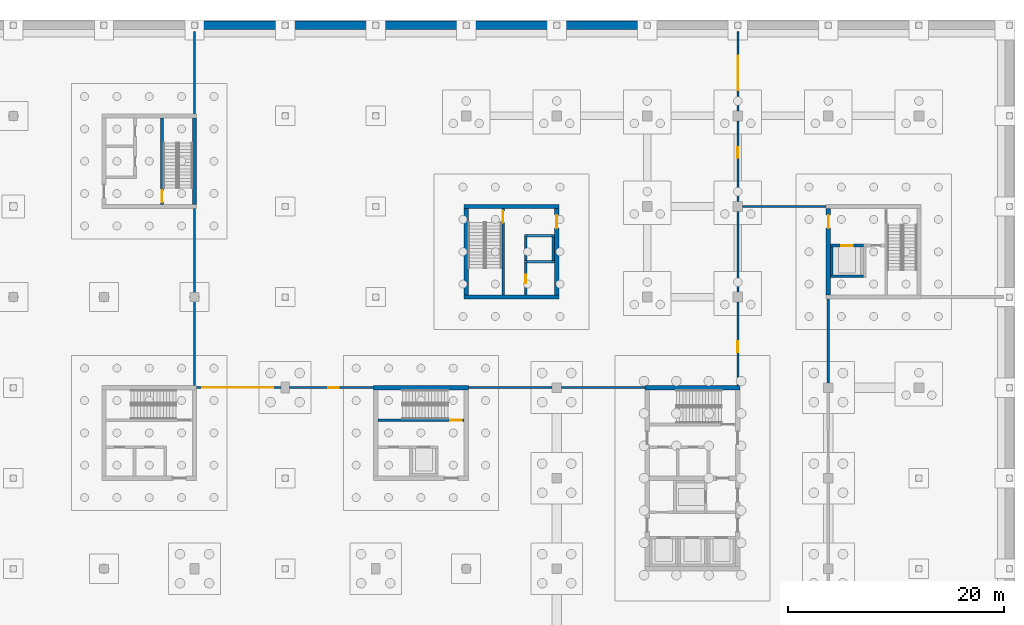
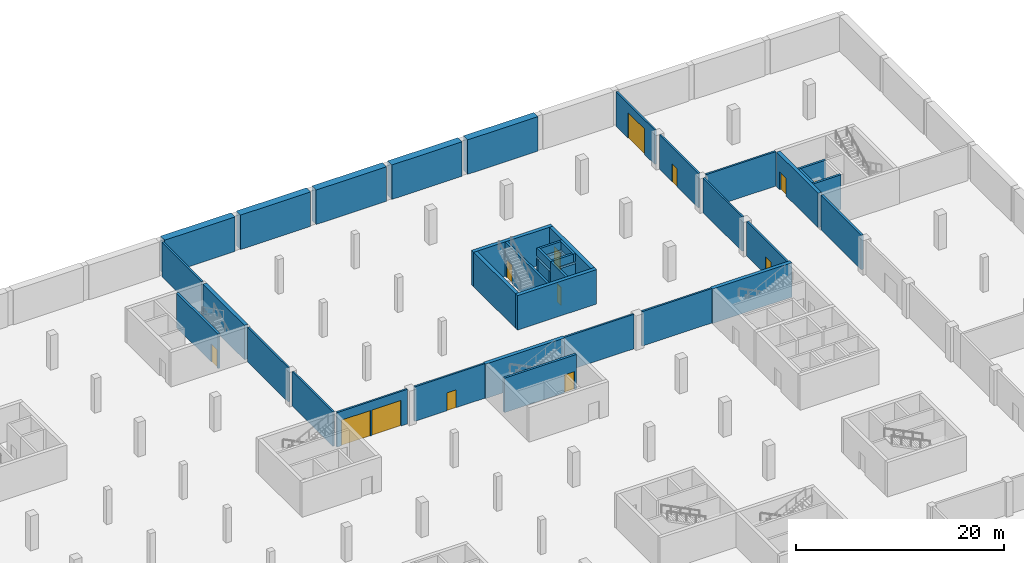
# One storey, part 16 of 23: 41 walls, 13 doors, 13 openings.
"""IFC4 building model written with IfcOpenShell, lengths in metres."""

from ifc_helpers import new_model, si_unit, direction, frame, frame_2d, origin, place, context, subcontext, project, spatial, rectangle, extrude, material, layer, layer_set, type_object, element, fill, save


model = new_model("IFC4")

# Units and contexts
model_context = context("Model", 3, precision=1e-05, world=origin(), true_north=direction((0.0, 1.0)))
body_context = subcontext(model_context, "Body", "Model", "MODEL_VIEW")
ifc_project = project(units=[si_unit("LENGTHUNIT", "METRE"), si_unit("AREAUNIT", "SQUARE_METRE"), si_unit("VOLUMEUNIT", "CUBIC_METRE"), si_unit("PLANEANGLEUNIT", "RADIAN"), si_unit("MASSUNIT", "GRAM", prefix="KILO")], contexts=[model_context])

# Site, building, storey
site_placement = place(None, origin())
site = spatial("IfcSite", under=ifc_project, at=site_placement, CompositionType="ELEMENT")
building_placement = place(site_placement, origin())
building = spatial("IfcBuilding", under=site, at=building_placement, Name="Hlaing Beacon Police Headquarters", CompositionType="ELEMENT")
storey_placement = place(building_placement, frame((0.0, 0.0, -4.5)))
storey = spatial("IfcBuildingStorey", under=building, at=storey_placement, Name="B1", CompositionType="ELEMENT", Elevation=-4.5)

# Walls
ifc_material_1 = material(Name="Concrete blockwork 7.5 N/mm2", Category="masonry")
ifc_layer_1 = layer(ifc_material_1, 0.199951171875)
ifc_layer_set_1 = layer_set([ifc_layer_1], Name="Concrete blockwork 7.5 N/mm2")
wall_type_1 = type_object("IfcWallType", Name="Compartment wall EI 60 200", PredefinedType="PARTITIONING", material=ifc_layer_set_1)
wall_1_placement = place(storey_placement, frame((118.050048828125, 84.0, 0.0), z_axis=(0.0, 0.0, 1.0), x_axis=(1.0, 0.0, 0.0)))
element("IfcWall", 1, at=wall_1_placement, inside=storey, type_object=wall_type_1, Name="Compartment wall EI 60 200", PredefinedType="PARTITIONING", context=body_context, shape_type="SweptSolid", body=[
    extrude(rectangle(XDim=7.75, YDim=0.199951171875, at=frame_2d((3.875, 0.0))), origin(), (0.0, 0.0, 1.0), 4.050048828125),
])
ifc_material_2 = material(Name="Concrete C60/75", Category="concrete")
ifc_layer_2 = layer(ifc_material_2, 0.39990234375)
ifc_layer_set_2 = layer_set([ifc_layer_2], Name="Concrete C60/75")
wall_type_2 = type_object("IfcWallType", Name="Core shear wall 400", PredefinedType="SHEAR", material=ifc_layer_set_2)
wall_2_placement = place(storey_placement, frame((83.800048828125, 67.199951171875, 0.0), z_axis=(0.0, 0.0, 1.0), x_axis=(1.0, 0.0, 0.0)))
element("IfcWall", 2, at=wall_2_placement, inside=storey, type_object=wall_type_2, Name="Core shear wall", PredefinedType="SHEAR", context=body_context, shape_type="SweptSolid", body=[
    extrude(rectangle(XDim=8.800048828125, YDim=0.39990234375, at=frame_2d((4.39990234375, 0.0))), origin(), (0.0, 0.0, 1.0), 4.050048828125),
])
wall_3_placement = place(storey_placement, frame((67.199951171875, 84.199951171875, 0.0), z_axis=(0.0, 0.0, 1.0), x_axis=(0.0, 1.0, 0.0)))
element("IfcWall", 3, at=wall_3_placement, inside=storey, type_object=wall_type_2, Name="Core shear wall", PredefinedType="SHEAR", context=body_context, shape_type="SweptSolid", body=[
    extrude(rectangle(XDim=8.0, YDim=0.39990234375, at=frame_2d((4.0, 0.0))), origin(), (0.0, 0.0, 1.0), 4.050048828125),
])
for number, where, z_axis, x_axis, name in (
    (4, (109.0, 67.199951171875, 0.0), (0.0, 0.0, 1.0), (1.0, 0.0, 0.0), "Core shear wall"),
    (5, (92.199951171875, 75.60009765625, 0.0), (0.0, 0.0, 1.0), (1.0, 0.0, 0.0), "Core shear wall"),
    (6, (92.199951171875, 84.0, 0.0), (0.0, 0.0, 1.0), (1.0, 0.0, 0.0), "Core shear wall"),
):
    element("IfcWall", number, at=place(storey_placement, frame(where, z_axis=z_axis, x_axis=x_axis)), inside=storey, type_object=wall_type_2, Name=name, PredefinedType="SHEAR", context=body_context, shape_type="SweptSolid", body=[
        extrude(rectangle(XDim=8.800048828125, YDim=0.39990234375, at=frame_2d((4.39990234375, 0.0))), origin(), (0.0, 0.0, 1.0), 4.050048828125),
    ])
wall_4_placement = place(storey_placement, frame((92.39990234375, 75.800048828125, 0.0), z_axis=(0.0, 0.0, 1.0), x_axis=(0.0, 1.0, 0.0)))
element("IfcWall", 7, at=wall_4_placement, inside=storey, type_object=wall_type_2, Name="Core shear wall", PredefinedType="SHEAR", context=body_context, shape_type="SweptSolid", body=[
    extrude(rectangle(XDim=8.0, YDim=0.39990234375, at=frame_2d((4.0, 0.0))), origin(), (0.0, 0.0, 1.0), 4.050048828125),
])

# Wall, opening, door
wall_5_placement = place(storey_placement, frame((100.800048828125, 75.800048828125, 0.0), z_axis=(0.0, 0.0, 1.0), x_axis=(0.0, 1.0, 0.0)))
wall_5 = element("IfcWall", 8, at=wall_5_placement, inside=storey, type_object=wall_type_2, Name="Core shear wall", PredefinedType="SHEAR", context=body_context, shape_type="SweptSolid", body=[
    extrude(rectangle(XDim=8.0, YDim=0.39990234375, at=frame_2d((4.0, 0.0))), origin(), (0.0, 0.0, 1.0), 4.050048828125),
])
opening_1_placement = place(wall_5_placement, frame((6.199951171875, 0.0, 0.0)))
opening_1 = element("IfcOpeningElement", 9, at=opening_1_placement, cuts=wall_5, Name="Opening B1-966", PredefinedType="OPENING", context=body_context, shape_type="SweptSolid", body=[
    extrude(rectangle(XDim=1.199951171875, YDim=2.10009765625, at=frame_2d((0.60009765625, 1.050048828125))), frame((0.0, 0.2099609375, 0.0), z_axis=(0.0, -1.0, 0.0), x_axis=(1.0, 0.0, 0.0)), (0.0, 0.0, 1.0), 0.419921875),
])
ifc_material_3 = material(Name="Steel fire door leaf", Category="steel")
ifc_layer_3 = layer(ifc_material_3, 0.070068359375)
ifc_layer_set_3 = layer_set([ifc_layer_3], Name="Steel fire door leaf")
door_type_1 = type_object("IfcDoorType", Name="Steel fire door FD60S 1200x2100", OperationType="SINGLE_SWING_LEFT", PredefinedType="DOOR", material=ifc_layer_set_3)
door_1_placement = place(opening_1_placement, origin())
door_1 = element("IfcDoor", 10, at=door_1_placement, inside=storey, type_object=door_type_1, Name="Door Lift and Stair Lobby ST-Q Entry", OperationType="SINGLE_SWING_RIGHT", OverallHeight=2.10009765625, OverallWidth=1.199951171875, PredefinedType="DOOR", context=body_context, shape_type="SweptSolid", body=[
    extrude(rectangle(XDim=1.199951171875, YDim=2.10009765625, at=frame_2d((0.60009765625, 1.050048828125))), frame((0.0, 0.03515625, 0.0), z_axis=(0.0, -1.0, 0.0), x_axis=(1.0, 0.0, 0.0)), (0.0, 0.0, 1.0), 0.070068359375),
])
fill(opening_1, door_1)

wall_6_placement = place(storey_placement, frame((126.0, 75.800048828125, 0.0), z_axis=(0.0, 0.0, 1.0), x_axis=(0.0, 1.0, 0.0)))
wall_6 = element("IfcWall", 11, at=wall_6_placement, inside=storey, type_object=wall_type_2, Name="Core shear wall", PredefinedType="SHEAR", context=body_context, shape_type="SweptSolid", body=[
    extrude(rectangle(XDim=8.0, YDim=0.39990234375, at=frame_2d((4.0, 0.0))), origin(), (0.0, 0.0, 1.0), 4.050048828125),
])
opening_2_placement = place(wall_6_placement, frame((6.199951171875, 0.0, 0.0)))
opening_2 = element("IfcOpeningElement", 12, at=opening_2_placement, cuts=wall_6, Name="Opening B1-969", PredefinedType="OPENING", context=body_context, shape_type="SweptSolid", body=[
    extrude(rectangle(XDim=1.199951171875, YDim=2.10009765625, at=frame_2d((0.60009765625, 1.050048828125))), frame((0.0, 0.2099609375, 0.0), z_axis=(0.0, -1.0, 0.0), x_axis=(1.0, 0.0, 0.0)), (0.0, 0.0, 1.0), 0.419921875),
])
door_2_placement = place(opening_2_placement, frame((1.199951171875, 0.0, 0.0), z_axis=(0.0, 0.0, 1.0), x_axis=(-1.0, 0.0, 0.0)))
door_2 = element("IfcDoor", 13, at=door_2_placement, inside=storey, type_object=door_type_1, Name="Door Firefighting Lobby Entry", OperationType="SINGLE_SWING_LEFT", OverallHeight=2.10009765625, OverallWidth=1.199951171875, PredefinedType="DOOR", context=body_context, shape_type="SweptSolid", body=[
    extrude(rectangle(XDim=1.199951171875, YDim=2.10009765625, at=frame_2d((0.599853515625, 1.050048828125))), frame((0.0, 0.034912109375, 0.0), z_axis=(0.0, -1.0, 0.0), x_axis=(1.0, 0.0, 0.0)), (0.0, 0.0, 1.0), 0.070068359375),
])
fill(opening_2, door_2)

ifc_material_4 = material(Name="Concrete blockwork 7.5 N/mm2", Category="masonry")
ifc_layer_4 = layer(ifc_material_4, 0.199951171875)
ifc_layer_set_4 = layer_set([ifc_layer_4], Name="Concrete blockwork 7.5 N/mm2")
wall_type_3 = type_object("IfcWallType", Name="Custody wall EI 60 200", PredefinedType="PARTITIONING", material=ifc_layer_set_4)
wall_7_placement = place(storey_placement, frame((117.60009765625, 84.449951171875, 0.0), z_axis=(0.0, 0.0, 1.0), x_axis=(0.0, 1.0, 0.0)))
wall_7 = element("IfcWall", 14, at=wall_7_placement, inside=storey, type_object=wall_type_3, Name="Custody wall EI 60 200", PredefinedType="PARTITIONING", context=body_context, shape_type="SweptSolid", body=[
    extrude(rectangle(XDim=7.5, YDim=0.199951171875, at=frame_2d((3.75, 0.0))), origin(), (0.0, 0.0, 1.0), 4.050048828125),
])
opening_3_placement = place(wall_7_placement, frame((4.050048828125, 0.0, 0.0)))
opening_3 = element("IfcOpeningElement", 15, at=opening_3_placement, cuts=wall_7, Name="Opening B1-006", PredefinedType="OPENING", context=body_context, shape_type="SweptSolid", body=[
    extrude(rectangle(XDim=1.0, YDim=2.10009765625, at=frame_2d((0.5, 1.050048828125))), frame((0.0, 0.10986328125, 0.0), z_axis=(0.0, -1.0, 0.0), x_axis=(1.0, 0.0, 0.0)), (0.0, 0.0, 1.0), 0.219970703125),
])
ifc_material_5 = material(Name="Steel security door leaf", Category="steel")
ifc_layer_5 = layer(ifc_material_5, 0.090087890625)
ifc_layer_set_5 = layer_set([ifc_layer_5], Name="Steel security door leaf")
door_type_2 = type_object("IfcDoorType", Name="Steel security door FD60 1000x2100", OperationType="SINGLE_SWING_LEFT", PredefinedType="DOOR", material=ifc_layer_set_5)
door_3_placement = place(opening_3_placement, frame((1.0, 0.0, 0.0), z_axis=(0.0, 0.0, 1.0), x_axis=(-1.0, 0.0, 0.0)))
door_3 = element("IfcDoor", 16, at=door_3_placement, inside=storey, type_object=door_type_2, Name="Door Police Vehicle Workshop", OperationType="SINGLE_SWING_LEFT", OverallHeight=2.10009765625, OverallWidth=1.0, PredefinedType="DOOR", context=body_context, shape_type="SweptSolid", body=[
    extrude(rectangle(XDim=1.0, YDim=2.10009765625, at=frame_2d((0.5, 1.050048828125))), frame((0.0, 0.045166015625, 0.0), z_axis=(0.0, -1.0, 0.0), x_axis=(1.0, 0.0, 0.0)), (0.0, 0.0, 1.0), 0.090087890625),
])
fill(opening_3, door_3)

wall_8_placement = place(storey_placement, frame((117.60009765625, 92.85009765625, 0.0), z_axis=(0.0, 0.0, 1.0), x_axis=(0.0, 1.0, 0.0)))
wall_8 = element("IfcWall", 17, at=wall_8_placement, inside=storey, type_object=wall_type_3, Name="Custody wall EI 60 200", PredefinedType="PARTITIONING", context=body_context, shape_type="SweptSolid", body=[
    extrude(rectangle(XDim=7.39990234375, YDim=0.199951171875, at=frame_2d((3.699951171875, 0.0))), origin(), (0.0, 0.0, 1.0), 4.050048828125),
])
opening_4_placement = place(wall_8_placement, frame((1.949951171875, 0.0, 0.0)))
opening_4 = element("IfcOpeningElement", 18, at=opening_4_placement, cuts=wall_8, Name="Opening B1-025", PredefinedType="OPENING", context=body_context, shape_type="SweptSolid", body=[
    extrude(rectangle(XDim=3.199951171875, YDim=3.0, at=frame_2d((1.60009765625, 1.5))), frame((0.0, 0.10986328125, 0.0), z_axis=(0.0, -1.0, 0.0), x_axis=(1.0, 0.0, 0.0)), (0.0, 0.0, 1.0), 0.219970703125),
])
ifc_material_6 = material(Name="Galvanised steel gate", Category="steel")
door_type_3 = type_object("IfcDoorType", Name="Vehicle gate 3200x3000", OperationType="SLIDING_TO_LEFT", PredefinedType="GATE", material=ifc_material_6)
door_4_placement = place(opening_4_placement, origin())
door_4 = element("IfcDoor", 19, at=door_4_placement, inside=storey, type_object=door_type_3, Name="Vehicle gate Police Vehicle Workshop", OperationType="SLIDING_TO_LEFT", OverallHeight=3.0, OverallWidth=3.199951171875, PredefinedType="GATE", context=body_context, shape_type="SweptSolid", body=[
    extrude(rectangle(XDim=3.199951171875, YDim=3.0, at=frame_2d((1.60009765625, 1.5))), frame((0.0, 0.02490234375, 0.0), z_axis=(0.0, -1.0, 0.0), x_axis=(1.0, 0.0, 0.0)), (0.0, 0.0, 1.0), 0.050048828125),
])
fill(opening_4, door_4)

# Walls
for number, where, z_axis, x_axis, name in (
    (20, (92.60009765625, 67.199951171875, 0.0), (0.0, 0.0, 1.0), (1.0, 0.0, 0.0), "Custody wall EI 60 200"),
    (21, (101.25, 67.199951171875, 0.0), (0.0, 0.0, 1.0), (1.0, 0.0, 0.0), "Custody wall EI 60 200"),
):
    element("IfcWall", number, at=place(storey_placement, frame(where, z_axis=z_axis, x_axis=x_axis)), inside=storey, type_object=wall_type_3, Name=name, PredefinedType="PARTITIONING", context=body_context, shape_type="SweptSolid", body=[
        extrude(rectangle(XDim=7.75, YDim=0.199951171875, at=frame_2d((3.875, 0.0))), origin(), (0.0, 0.0, 1.0), 4.050048828125),
    ])

# Wall, opening, door
wall_9_placement = place(storey_placement, frame((117.60009765625, 67.39990234375, 0.0), z_axis=(0.0, 0.0, 1.0), x_axis=(0.0, 1.0, 0.0)))
wall_9 = element("IfcWall", 22, at=wall_9_placement, inside=storey, type_object=wall_type_3, Name="Custody wall EI 60 200", PredefinedType="PARTITIONING", context=body_context, shape_type="SweptSolid", body=[
    extrude(rectangle(XDim=7.75, YDim=0.199951171875, at=frame_2d((3.875, 0.0))), origin(), (0.0, 0.0, 1.0), 4.050048828125),
])
opening_5_placement = place(wall_9_placement, frame((3.10009765625, 0.0, 0.0)))
opening_5 = element("IfcOpeningElement", 23, at=opening_5_placement, cuts=wall_9, Name="Opening B1-021", PredefinedType="OPENING", context=body_context, shape_type="SweptSolid", body=[
    extrude(rectangle(XDim=1.0, YDim=2.10009765625, at=frame_2d((0.5, 1.050048828125))), frame((0.0, 0.10986328125, 0.0), z_axis=(0.0, -1.0, 0.0), x_axis=(1.0, 0.0, 0.0)), (0.0, 0.0, 1.0), 0.219970703125),
])
door_5_placement = place(opening_5_placement, origin())
door_5 = element("IfcDoor", 24, at=door_5_placement, inside=storey, type_object=door_type_2, Name="Door Secure Vehicle Park", OperationType="SINGLE_SWING_LEFT", OverallHeight=2.10009765625, OverallWidth=1.0, PredefinedType="DOOR", context=body_context, shape_type="SweptSolid", body=[
    extrude(rectangle(XDim=1.0, YDim=2.10009765625, at=frame_2d((0.5, 1.050048828125))), frame((0.0, 0.044921875, 0.0), z_axis=(0.0, -1.0, 0.0), x_axis=(1.0, 0.0, 0.0)), (0.0, 0.0, 1.0), 0.090087890625),
])
fill(opening_5, door_5)

# Walls
wall_10_placement = place(storey_placement, frame((117.60009765625, 76.050048828125, 0.0), z_axis=(0.0, 0.0, 1.0), x_axis=(0.0, 1.0, 0.0)))
element("IfcWall", 25, at=wall_10_placement, inside=storey, type_object=wall_type_3, Name="Custody wall EI 60 200", PredefinedType="PARTITIONING", context=body_context, shape_type="SweptSolid", body=[
    extrude(rectangle(XDim=7.5, YDim=0.199951171875, at=frame_2d((3.75, 0.0))), origin(), (0.0, 0.0, 1.0), 4.050048828125),
])
for number, where, z_axis, x_axis, name in (
    (26, (67.199951171875, 67.39990234375, 0.0), (0.0, 0.0, 1.0), (0.0, 1.0, 0.0), "Custody wall EI 60 200"),
    (27, (67.199951171875, 76.0, 0.0), (0.0, 0.0, 1.0), (0.0, 1.0, 0.0), "Custody wall EI 60 200"),
):
    element("IfcWall", number, at=place(storey_placement, frame(where, z_axis=z_axis, x_axis=x_axis)), inside=storey, type_object=wall_type_3, Name=name, PredefinedType="PARTITIONING", context=body_context, shape_type="SweptSolid", body=[
        extrude(rectangle(XDim=7.800048828125, YDim=0.199951171875, at=frame_2d((3.89990234375, 0.0))), origin(), (0.0, 0.0, 1.0), 4.050048828125),
    ])

# Wall, openings, doors
wall_11_placement = place(storey_placement, frame((67.39990234375, 67.199951171875, 0.0), z_axis=(0.0, 0.0, 1.0), x_axis=(1.0, 0.0, 0.0)))
wall_11 = element("IfcWall", 28, at=wall_11_placement, inside=storey, type_object=wall_type_3, Name="Custody wall EI 60 200", PredefinedType="PARTITIONING", context=body_context, shape_type="SweptSolid", body=[
    extrude(rectangle(XDim=7.800048828125, YDim=0.199951171875, at=frame_2d((3.89990234375, 0.0))), origin(), (0.0, 0.0, 1.0), 4.050048828125),
])
opening_6_placement = place(wall_11_placement, frame((0.5, 0.0, 0.0)))
opening_6 = element("IfcOpeningElement", 29, at=opening_6_placement, cuts=wall_11, Name="Opening B1-027", PredefinedType="OPENING", context=body_context, shape_type="SweptSolid", body=[
    extrude(rectangle(XDim=3.199951171875, YDim=3.0, at=frame_2d((1.60009765625, 1.5))), frame((0.0, 0.10986328125, 0.0), z_axis=(0.0, -1.0, 0.0), x_axis=(1.0, 0.0, 0.0)), (0.0, 0.0, 1.0), 0.219970703125),
])
opening_7_placement = place(wall_11_placement, frame((3.89990234375, 0.0, 0.0)))
opening_7 = element("IfcOpeningElement", 30, at=opening_7_placement, cuts=wall_11, Name="Opening B1-028", PredefinedType="OPENING", context=body_context, shape_type="SweptSolid", body=[
    extrude(rectangle(XDim=3.199951171875, YDim=3.0, at=frame_2d((1.60009765625, 1.5))), frame((0.0, 0.10986328125, 0.0), z_axis=(0.0, -1.0, 0.0), x_axis=(1.0, 0.0, 0.0)), (0.0, 0.0, 1.0), 0.219970703125),
])
door_6_placement = place(opening_6_placement, origin())
door_6 = element("IfcDoor", 31, at=door_6_placement, inside=storey, type_object=door_type_3, Name="Vehicle gate Secure Vehicle Park", OperationType="SLIDING_TO_LEFT", OverallHeight=3.0, OverallWidth=3.199951171875, PredefinedType="GATE", context=body_context, shape_type="SweptSolid", body=[
    extrude(rectangle(XDim=3.199951171875, YDim=3.0, at=frame_2d((1.60009765625, 1.5))), frame((0.0, 0.02490234375, 0.0), z_axis=(0.0, -1.0, 0.0), x_axis=(1.0, 0.0, 0.0)), (0.0, 0.0, 1.0), 0.050048828125),
])
fill(opening_6, door_6)
door_7_placement = place(opening_7_placement, origin())
door_7 = element("IfcDoor", 32, at=door_7_placement, inside=storey, type_object=door_type_3, Name="Vehicle gate Secure Vehicle Park", OperationType="SLIDING_TO_LEFT", OverallHeight=3.0, OverallWidth=3.199951171875, PredefinedType="GATE", context=body_context, shape_type="SweptSolid", body=[
    extrude(rectangle(XDim=3.199951171875, YDim=3.0, at=frame_2d((1.60009765625, 1.5))), frame((0.0, 0.02490234375, 0.0), z_axis=(0.0, -1.0, 0.0), x_axis=(1.0, 0.0, 0.0)), (0.0, 0.0, 1.0), 0.050048828125),
])
fill(opening_7, door_7)

# Wall, opening, door
wall_12_placement = place(storey_placement, frame((76.0, 67.199951171875, 0.0), z_axis=(0.0, 0.0, 1.0), x_axis=(1.0, 0.0, 0.0)))
wall_12 = element("IfcWall", 33, at=wall_12_placement, inside=storey, type_object=wall_type_3, Name="Custody wall EI 60 200", PredefinedType="PARTITIONING", context=body_context, shape_type="SweptSolid", body=[
    extrude(rectangle(XDim=7.800048828125, YDim=0.199951171875, at=frame_2d((3.89990234375, 0.0))), origin(), (0.0, 0.0, 1.0), 4.050048828125),
])
opening_8_placement = place(wall_12_placement, frame((3.60009765625, 0.0, 0.0)))
opening_8 = element("IfcOpeningElement", 34, at=opening_8_placement, cuts=wall_12, Name="Opening B1-022", PredefinedType="OPENING", context=body_context, shape_type="SweptSolid", body=[
    extrude(rectangle(XDim=1.0, YDim=2.10009765625, at=frame_2d((0.5, 1.050048828125))), frame((0.0, 0.10986328125, 0.0), z_axis=(0.0, -1.0, 0.0), x_axis=(1.0, 0.0, 0.0)), (0.0, 0.0, 1.0), 0.219970703125),
])
door_8_placement = place(opening_8_placement, origin())
door_8 = element("IfcDoor", 35, at=door_8_placement, inside=storey, type_object=door_type_2, Name="Door Secure Vehicle Park", OperationType="SINGLE_SWING_RIGHT", OverallHeight=2.10009765625, OverallWidth=1.0, PredefinedType="DOOR", context=body_context, shape_type="SweptSolid", body=[
    extrude(rectangle(XDim=1.0, YDim=2.10009765625, at=frame_2d((0.5, 1.050048828125))), frame((0.0, 0.044921875, 0.0), z_axis=(0.0, -1.0, 0.0), x_axis=(1.0, 0.0, 0.0)), (0.0, 0.0, 1.0), 0.090087890625),
])
fill(opening_8, door_8)

# Walls
wall_13_placement = place(storey_placement, frame((67.199951171875, 92.60009765625, 0.0), z_axis=(0.0, 0.0, 1.0), x_axis=(0.0, 1.0, 0.0)))
element("IfcWall", 36, at=wall_13_placement, inside=storey, type_object=wall_type_3, Name="Custody wall EI 60 200", PredefinedType="PARTITIONING", context=body_context, shape_type="SweptSolid", body=[
    extrude(rectangle(XDim=7.64990234375, YDim=0.199951171875, at=frame_2d((3.824951171875, 0.0))), origin(), (0.0, 0.0, 1.0), 4.050048828125),
])
ifc_material_7 = material(Name="Concrete C40/50", Category="concrete")
ifc_layer_6 = layer(ifc_material_7, 0.25)
ifc_layer_set_6 = layer_set([ifc_layer_6], Name="Concrete C40/50")
wall_type_4 = type_object("IfcWallType", Name="Lift pit plinth wall 250", PredefinedType="SOLIDWALL", material=ifc_layer_set_6)
wall_14_placement = place(storey_placement, frame((100.47509765625, 79.0, 0.0), z_axis=(0.0, 0.0, 1.0), x_axis=(0.0, 1.0, 0.0)))
element("IfcWall", 37, at=wall_14_placement, inside=storey, type_object=wall_type_4, Name="Lift pit plinth wall DL1", PredefinedType="SOLIDWALL", context=body_context, shape_type="SweptSolid", body=[
    extrude(rectangle(XDim=2.14990234375, YDim=0.25, at=frame_2d((1.074951171875, 0.0))), origin(), (0.0, 0.0, 1.0), 2.85009765625),
])
for number, where, z_axis, x_axis, name in (
    (38, (97.800048828125, 81.27490234375, 0.0), (0.0, 0.0, 1.0), (1.0, 0.0, 0.0), "Lift pit plinth wall DL1"),
    (39, (97.800048828125, 78.875, 0.0), (0.0, 0.0, 1.0), (1.0, 0.0, 0.0), "Lift pit plinth wall DL1"),
):
    element("IfcWall", number, at=place(storey_placement, frame(where, z_axis=z_axis, x_axis=x_axis)), inside=storey, type_object=wall_type_4, Name=name, PredefinedType="SOLIDWALL", context=body_context, shape_type="SweptSolid", body=[
        extrude(rectangle(XDim=2.800048828125, YDim=0.25, at=frame_2d((1.39990234375, 0.0))), origin(), (0.0, 0.0, 1.0), 2.85009765625),
    ])
wall_15_placement = place(storey_placement, frame((97.925048828125, 79.0, 0.0), z_axis=(0.0, 0.0, 1.0), x_axis=(0.0, 1.0, 0.0)))
element("IfcWall", 40, at=wall_15_placement, inside=storey, type_object=wall_type_4, Name="Lift pit plinth wall DL1", PredefinedType="SOLIDWALL", context=body_context, shape_type="SweptSolid", body=[
    extrude(rectangle(XDim=2.14990234375, YDim=0.25, at=frame_2d((1.074951171875, 0.0))), origin(), (0.0, 0.0, 1.0), 2.85009765625),
])
ifc_material_8 = material(Name="Concrete blockwork 7.5 N/mm2", Category="masonry")
ifc_layer_7 = layer(ifc_material_8, 0.25)
ifc_layer_set_7 = layer_set([ifc_layer_7], Name="Concrete blockwork 7.5 N/mm2")
wall_type_5 = type_object("IfcWallType", Name="Plant room wall EI 120 250", PredefinedType="PARTITIONING", material=ifc_layer_set_7)
wall_16_placement = place(storey_placement, frame((126.0, 67.64990234375, 0.0), z_axis=(0.0, 0.0, 1.0), x_axis=(0.0, 1.0, 0.0)))
element("IfcWall", 41, at=wall_16_placement, inside=storey, type_object=wall_type_5, Name="Plant room wall EI 120 250", PredefinedType="PARTITIONING", context=body_context, shape_type="SweptSolid", body=[
    extrude(rectangle(XDim=7.75, YDim=0.25, at=frame_2d((3.875, 0.0))), origin(), (0.0, 0.0, 1.0), 4.050048828125),
])
ifc_material_9 = material(Name="Concrete C50/60", Category="concrete")
ifc_layer_8 = layer(ifc_material_9, 0.800048828125)
ifc_layer_set_8 = layer_set([ifc_layer_8], Name="Concrete C50/60")
wall_type_6 = type_object("IfcWallType", Name="Retaining wall 800", PredefinedType="SOLIDWALL", material=ifc_layer_set_8)
for number, where, z_axis, x_axis, name in (
    (42, (67.5, 100.800048828125, 0.0), (0.0, 0.0, 1.0), (1.0, 0.0, 0.0), "STR-RW-B1-N09"),
    (43, (75.89990234375, 100.800048828125, 0.0), (0.0, 0.0, 1.0), (1.0, 0.0, 0.0), "STR-RW-B1-N10"),
    (44, (84.300048828125, 100.800048828125, 0.0), (0.0, 0.0, 1.0), (1.0, 0.0, 0.0), "STR-RW-B1-N11"),
    (45, (92.699951171875, 100.800048828125, 0.0), (0.0, 0.0, 1.0), (1.0, 0.0, 0.0), "STR-RW-B1-N12"),
):
    element("IfcWall", number, at=place(storey_placement, frame(where, z_axis=z_axis, x_axis=x_axis)), inside=storey, type_object=wall_type_6, Name=name, PredefinedType="SOLIDWALL", context=body_context, shape_type="SweptSolid", body=[
        extrude(rectangle(XDim=7.800048828125, YDim=0.800048828125, at=frame_2d((3.89990234375, 0.0))), origin(), (0.0, 0.0, 1.0), 4.050048828125),
    ])
wall_17_placement = place(storey_placement, frame((101.10009765625, 100.800048828125, 0.0), z_axis=(0.0, 0.0, 1.0), x_axis=(1.0, 0.0, 0.0)))
element("IfcWall", 46, at=wall_17_placement, inside=storey, type_object=wall_type_6, Name="STR-RW-B1-N13", PredefinedType="SOLIDWALL", context=body_context, shape_type="SweptSolid", body=[
    extrude(rectangle(XDim=7.7998046875, YDim=0.800048828125, at=frame_2d((3.89990234375, 0.0))), origin(), (0.0, 0.0, 1.0), 4.050048828125),
])

# Wall, opening, door
ifc_material_10 = material(Name="Concrete C40/50", Category="concrete")
ifc_layer_9 = layer(ifc_material_10, 0.25)
ifc_layer_set_9 = layer_set([ifc_layer_9], Name="Concrete C40/50")
wall_type_7 = type_object("IfcWallType", Name="Shaft wall 250", PredefinedType="SOLIDWALL", material=ifc_layer_set_9)
wall_18_placement = place(storey_placement, frame((92.199951171875, 64.175048828125, 0.0), z_axis=(0.0, 0.0, 1.0), x_axis=(-1.0, 0.0, 0.0)))
wall_18 = element("IfcWall", 47, at=wall_18_placement, inside=storey, type_object=wall_type_7, Name="Stair enclosure wall", PredefinedType="SOLIDWALL", context=body_context, shape_type="SweptSolid", body=[
    extrude(rectangle(XDim=8.0, YDim=0.25, at=frame_2d((4.0, 0.0))), origin(), (0.0, 0.0, 1.0), 4.050048828125),
])
opening_9_placement = place(wall_18_placement, frame((0.199951171875, 0.0, 0.0)))
opening_9 = element("IfcOpeningElement", 48, at=opening_9_placement, cuts=wall_18, Name="Opening B1-914", PredefinedType="OPENING", context=body_context, shape_type="SweptSolid", body=[
    extrude(rectangle(XDim=1.10009765625, YDim=2.10009765625, at=frame_2d((0.550048828125, 1.050048828125))), frame((0.0, 0.135009765625, 0.0), z_axis=(0.0, -1.0, 0.0), x_axis=(1.0, 0.0, 0.0)), (0.0, 0.0, 1.0), 0.27001953125),
])
ifc_material_11 = material(Name="Steel fire door leaf", Category="steel")
ifc_layer_10 = layer(ifc_material_11, 0.070068359375)
ifc_layer_set_10 = layer_set([ifc_layer_10], Name="Steel fire door leaf")
door_type_4 = type_object("IfcDoorType", Name="Steel fire door FD60 1100x2100", OperationType="SINGLE_SWING_LEFT", PredefinedType="DOOR", material=ifc_layer_set_10)
door_9_placement = place(opening_9_placement, frame((1.10009765625, 0.0, 0.0), z_axis=(0.0, 0.0, 1.0), x_axis=(-1.0, 0.0, 0.0)))
door_9 = element("IfcDoor", 49, at=door_9_placement, inside=storey, type_object=door_type_4, Name="Door Stair ST-D", OperationType="SINGLE_SWING_LEFT", OverallHeight=2.10009765625, OverallWidth=1.10009765625, PredefinedType="DOOR", context=body_context, shape_type="SweptSolid", body=[
    extrude(rectangle(XDim=1.10009765625, YDim=2.10009765625, at=frame_2d((0.550048828125, 1.050048828125))), frame((0.0, 0.034912109375, 0.0), z_axis=(0.0, -1.0, 0.0), x_axis=(1.0, 0.0, 0.0)), (0.0, 0.0, 1.0), 0.070068359375),
])
fill(opening_9, door_9)

wall_19_placement = place(storey_placement, frame((64.175048828125, 84.199951171875, 0.0), z_axis=(0.0, 0.0, 1.0), x_axis=(0.0, 1.0, 0.0)))
wall_19 = element("IfcWall", 50, at=wall_19_placement, inside=storey, type_object=wall_type_7, Name="Stair enclosure wall", PredefinedType="SOLIDWALL", context=body_context, shape_type="SweptSolid", body=[
    extrude(rectangle(XDim=8.0, YDim=0.25, at=frame_2d((4.0, 0.0))), origin(), (0.0, 0.0, 1.0), 4.050048828125),
])
opening_10_placement = place(wall_19_placement, frame((0.199951171875, 0.0, 0.0)))
opening_10 = element("IfcOpeningElement", 51, at=opening_10_placement, cuts=wall_19, Name="Opening B1-921", PredefinedType="OPENING", context=body_context, shape_type="SweptSolid", body=[
    extrude(rectangle(XDim=1.10009765625, YDim=2.10009765625, at=frame_2d((0.550048828125, 1.050048828125))), frame((0.0, 0.135009765625, 0.0), z_axis=(0.0, -1.0, 0.0), x_axis=(1.0, 0.0, 0.0)), (0.0, 0.0, 1.0), 0.27001953125),
])
door_10_placement = place(opening_10_placement, frame((1.10009765625, 0.0, 0.0), z_axis=(0.0, 0.0, 1.0), x_axis=(-1.0, 0.0, 0.0)))
door_10 = element("IfcDoor", 52, at=door_10_placement, inside=storey, type_object=door_type_4, Name="Door Stair ST-F", OperationType="SINGLE_SWING_LEFT", OverallHeight=2.10009765625, OverallWidth=1.10009765625, PredefinedType="DOOR", context=body_context, shape_type="SweptSolid", body=[
    extrude(rectangle(XDim=1.10009765625, YDim=2.10009765625, at=frame_2d((0.550048828125, 1.050048828125))), frame((0.0, 0.034912109375, 0.0), z_axis=(0.0, -1.0, 0.0), x_axis=(1.0, 0.0, 0.0)), (0.0, 0.0, 1.0), 0.070068359375),
])
fill(opening_10, door_10)

wall_20_placement = place(storey_placement, frame((95.824951171875, 83.800048828125, 0.0), z_axis=(0.0, 0.0, 1.0), x_axis=(0.0, -1.0, 0.0)))
wall_20 = element("IfcWall", 53, at=wall_20_placement, inside=storey, type_object=wall_type_7, Name="Stair enclosure wall", PredefinedType="SOLIDWALL", context=body_context, shape_type="SweptSolid", body=[
    extrude(rectangle(XDim=8.0, YDim=0.25, at=frame_2d((4.0, 0.0))), origin(), (0.0, 0.0, 1.0), 4.050048828125),
])
opening_11_placement = place(wall_20_placement, frame((0.199951171875, 0.0, 0.0)))
opening_11 = element("IfcOpeningElement", 54, at=opening_11_placement, cuts=wall_20, Name="Opening B1-968", PredefinedType="OPENING", context=body_context, shape_type="SweptSolid", body=[
    extrude(rectangle(XDim=1.10009765625, YDim=2.10009765625, at=frame_2d((0.550048828125, 1.050048828125))), frame((0.0, 0.135009765625, 0.0), z_axis=(0.0, -1.0, 0.0), x_axis=(1.0, 0.0, 0.0)), (0.0, 0.0, 1.0), 0.27001953125),
])
door_11_placement = place(opening_11_placement, frame((1.10009765625, 0.0, 0.0), z_axis=(0.0, 0.0, 1.0), x_axis=(-1.0, 0.0, 0.0)))
door_11 = element("IfcDoor", 55, at=door_11_placement, inside=storey, type_object=door_type_4, Name="Door Stair ST-Q", OperationType="SINGLE_SWING_LEFT", OverallHeight=2.10009765625, OverallWidth=1.10009765625, PredefinedType="DOOR", context=body_context, shape_type="SweptSolid", body=[
    extrude(rectangle(XDim=1.10009765625, YDim=2.10009765625, at=frame_2d((0.550048828125, 1.050048828125))), frame((0.0, 0.034912109375, 0.0), z_axis=(0.0, -1.0, 0.0), x_axis=(1.0, 0.0, 0.0)), (0.0, 0.0, 1.0), 0.070068359375),
])
fill(opening_11, door_11)

wall_21_placement = place(storey_placement, frame((97.925048828125, 78.75, 0.0), z_axis=(0.0, 0.0, 1.0), x_axis=(0.0, -1.0, 0.0)))
wall_21 = element("IfcWall", 56, at=wall_21_placement, inside=storey, type_object=wall_type_7, Name="Lobby wall", PredefinedType="SOLIDWALL", context=body_context, shape_type="SweptSolid", body=[
    extrude(rectangle(XDim=2.949951171875, YDim=0.25, at=frame_2d((1.47509765625, 0.0))), origin(), (0.0, 0.0, 1.0), 4.050048828125),
])
opening_12_placement = place(wall_21_placement, frame((1.074951171875, 0.0, 0.0)))
opening_12 = element("IfcOpeningElement", 57, at=opening_12_placement, cuts=wall_21, Name="Opening B1-967", PredefinedType="OPENING", context=body_context, shape_type="SweptSolid", body=[
    extrude(rectangle(XDim=0.800048828125, YDim=2.10009765625, at=frame_2d((0.39990234375, 1.050048828125))), frame((0.0, 0.135009765625, 0.0), z_axis=(0.0, -1.0, 0.0), x_axis=(1.0, 0.0, 0.0)), (0.0, 0.0, 1.0), 0.27001953125),
])
ifc_material_12 = material(Name="Steel fire door leaf", Category="steel")
ifc_layer_11 = layer(ifc_material_12, 0.070068359375)
ifc_layer_set_11 = layer_set([ifc_layer_11], Name="Steel fire door leaf")
door_type_5 = type_object("IfcDoorType", Name="Steel fire door FD60 800x2100", OperationType="SINGLE_SWING_LEFT", PredefinedType="DOOR", material=ifc_layer_set_11)
door_12_placement = place(opening_12_placement, origin())
door_12 = element("IfcDoor", 58, at=door_12_placement, inside=storey, type_object=door_type_5, Name="Door Services Riser", OperationType="SINGLE_SWING_RIGHT", OverallHeight=2.10009765625, OverallWidth=0.800048828125, PredefinedType="DOOR", context=body_context, shape_type="SweptSolid", body=[
    extrude(rectangle(XDim=0.800048828125, YDim=2.10009765625, at=frame_2d((0.39990234375, 1.050048828125))), frame((0.0, 0.03515625, 0.0), z_axis=(0.0, -1.0, 0.0), x_axis=(1.0, 0.0, 0.0)), (0.0, 0.0, 1.0), 0.070068359375),
])
fill(opening_12, door_12)

# Walls
wall_22_placement = place(storey_placement, frame((100.47509765625, 78.75, 3.10009765625), z_axis=(0.0, 0.0, 1.0), x_axis=(0.0, 1.0, 0.0)))
element("IfcWall", 59, at=wall_22_placement, inside=storey, type_object=wall_type_7, Name="Lift pit wall DL1", PredefinedType="SOLIDWALL", context=body_context, shape_type="SweptSolid", body=[
    extrude(rectangle(XDim=2.64990234375, YDim=0.25, at=frame_2d((1.324951171875, 0.0))), origin(), (0.0, 0.0, 1.0), 0.949951171875),
])
for number, where, z_axis, x_axis, name in (
    (60, (98.050048828125, 81.27490234375, 3.10009765625), (0.0, 0.0, 1.0), (1.0, 0.0, 0.0), "Lift pit wall DL1"),
    (61, (98.050048828125, 78.875, 3.10009765625), (0.0, 0.0, 1.0), (1.0, 0.0, 0.0), "Lift pit wall DL1"),
):
    element("IfcWall", number, at=place(storey_placement, frame(where, z_axis=z_axis, x_axis=x_axis)), inside=storey, type_object=wall_type_7, Name=name, PredefinedType="SOLIDWALL", context=body_context, shape_type="SweptSolid", body=[
        extrude(rectangle(XDim=2.300048828125, YDim=0.25, at=frame_2d((1.14990234375, 0.0))), origin(), (0.0, 0.0, 1.0), 0.949951171875),
    ])
wall_23_placement = place(storey_placement, frame((97.925048828125, 78.75, 3.10009765625), z_axis=(0.0, 0.0, 1.0), x_axis=(0.0, 1.0, 0.0)))
element("IfcWall", 62, at=wall_23_placement, inside=storey, type_object=wall_type_7, Name="Lift pit wall DL1", PredefinedType="SOLIDWALL", context=body_context, shape_type="SweptSolid", body=[
    extrude(rectangle(XDim=2.64990234375, YDim=0.25, at=frame_2d((1.324951171875, 0.0))), origin(), (0.0, 0.0, 1.0), 0.949951171875),
])

# Wall, opening, door
wall_24_placement = place(storey_placement, frame((126.199951171875, 80.375, 0.0), z_axis=(0.0, 0.0, 1.0), x_axis=(1.0, 0.0, 0.0)))
wall_24 = element("IfcWall", 63, at=wall_24_placement, inside=storey, type_object=wall_type_7, Name="Lift shaft wall FL3", PredefinedType="SOLIDWALL", context=body_context, shape_type="SweptSolid", body=[
    extrude(rectangle(XDim=3.050048828125, YDim=0.25, at=frame_2d((1.52490234375, 0.0))), origin(), (0.0, 0.0, 1.0), 4.050048828125),
])
opening_13_placement = place(wall_24_placement, frame((0.97509765625, 0.0, 0.0)))
opening_13 = element("IfcOpeningElement", 64, at=opening_13_placement, cuts=wall_24, Name="Opening LD-FL3-B1", PredefinedType="OPENING", context=body_context, shape_type="SweptSolid", body=[
    extrude(rectangle(XDim=1.10009765625, YDim=2.10009765625, at=frame_2d((0.550048828125, 1.050048828125))), frame((0.0, 0.135009765625, 0.0), z_axis=(0.0, -1.0, 0.0), x_axis=(1.0, 0.0, 0.0)), (0.0, 0.0, 1.0), 0.27001953125),
])
ifc_material_13 = material(Name="Stainless steel lift landing door", Category="steel")
ifc_layer_12 = layer(ifc_material_13, 0.06005859375)
ifc_layer_set_12 = layer_set([ifc_layer_12], Name="Stainless steel lift landing door")
door_type_6 = type_object("IfcDoorType", Name="Lift landing door 1100x2100", OperationType="DOUBLE_DOOR_SLIDING", PredefinedType="DOOR", material=ifc_layer_set_12)
door_13_placement = place(opening_13_placement, origin())
door_13 = element("IfcDoor", 65, at=door_13_placement, inside=storey, type_object=door_type_6, Name="Landing door FL3 B1", OperationType="DOUBLE_DOOR_SLIDING", OverallHeight=2.10009765625, OverallWidth=1.10009765625, PredefinedType="DOOR", context=body_context, shape_type="SweptSolid", body=[
    extrude(rectangle(XDim=1.10009765625, YDim=2.10009765625, at=frame_2d((0.550048828125, 1.050048828125))), frame((0.0, 0.0400390625, 0.0), z_axis=(0.0, -1.0, 0.0), x_axis=(1.0, 0.0, 0.0)), (0.0, 0.0, 1.0), 0.080078125),
])
fill(opening_13, door_13)

# Walls
wall_25_placement = place(storey_placement, frame((126.199951171875, 77.52490234375, 0.0), z_axis=(0.0, 0.0, 1.0), x_axis=(1.0, 0.0, 0.0)))
element("IfcWall", 66, at=wall_25_placement, inside=storey, type_object=wall_type_7, Name="Lift shaft wall FL3", PredefinedType="SOLIDWALL", context=body_context, shape_type="SweptSolid", body=[
    extrude(rectangle(XDim=3.050048828125, YDim=0.25, at=frame_2d((1.52490234375, 0.0))), origin(), (0.0, 0.0, 1.0), 4.050048828125),
])
wall_26_placement = place(storey_placement, frame((126.324951171875, 77.64990234375, 0.0), z_axis=(0.0, 0.0, 1.0), x_axis=(0.0, 1.0, 0.0)))
element("IfcWall", 67, at=wall_26_placement, inside=storey, type_object=wall_type_7, Name="Lift shaft wall FL3", PredefinedType="SOLIDWALL", context=body_context, shape_type="SweptSolid", body=[
    extrude(rectangle(XDim=2.60009765625, YDim=0.25, at=frame_2d((1.300048828125, 0.0))), origin(), (0.0, 0.0, 1.0), 4.050048828125),
])

save(model, "model.ifc")
